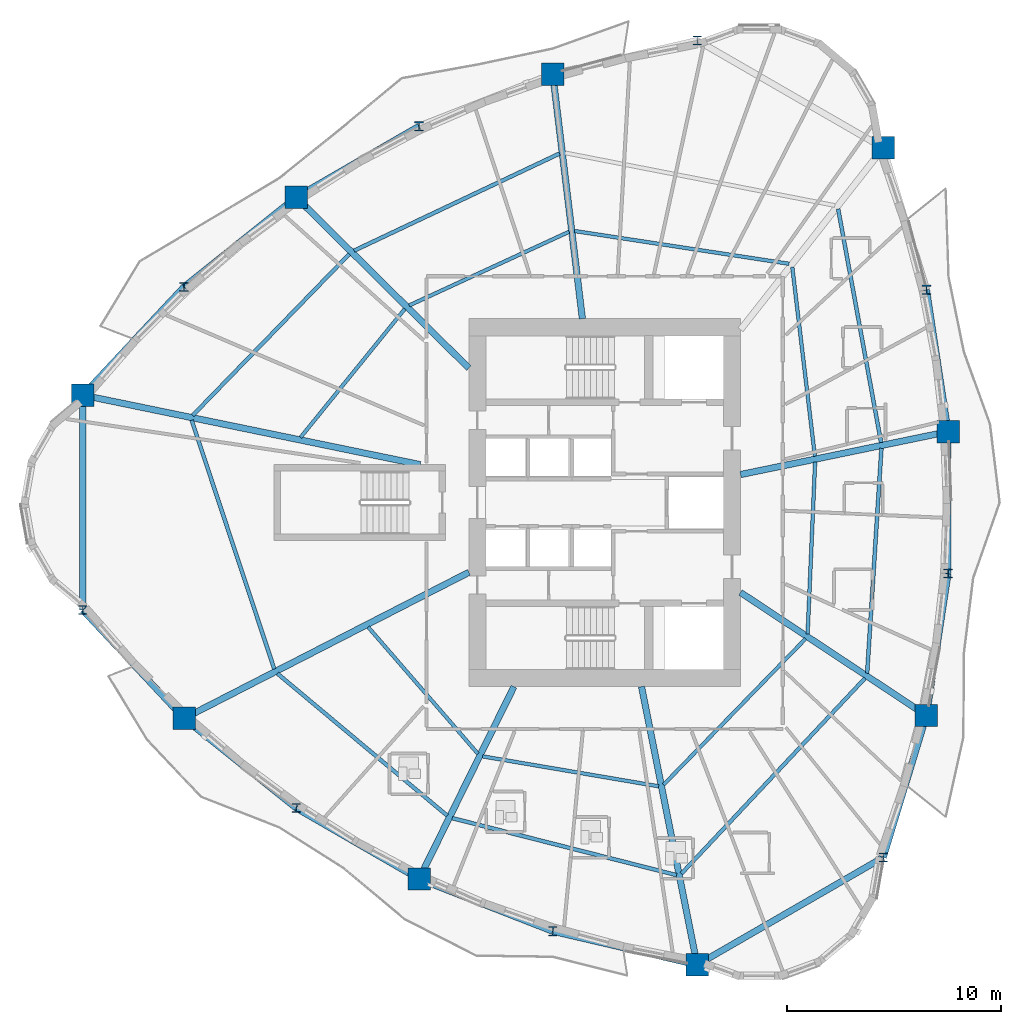
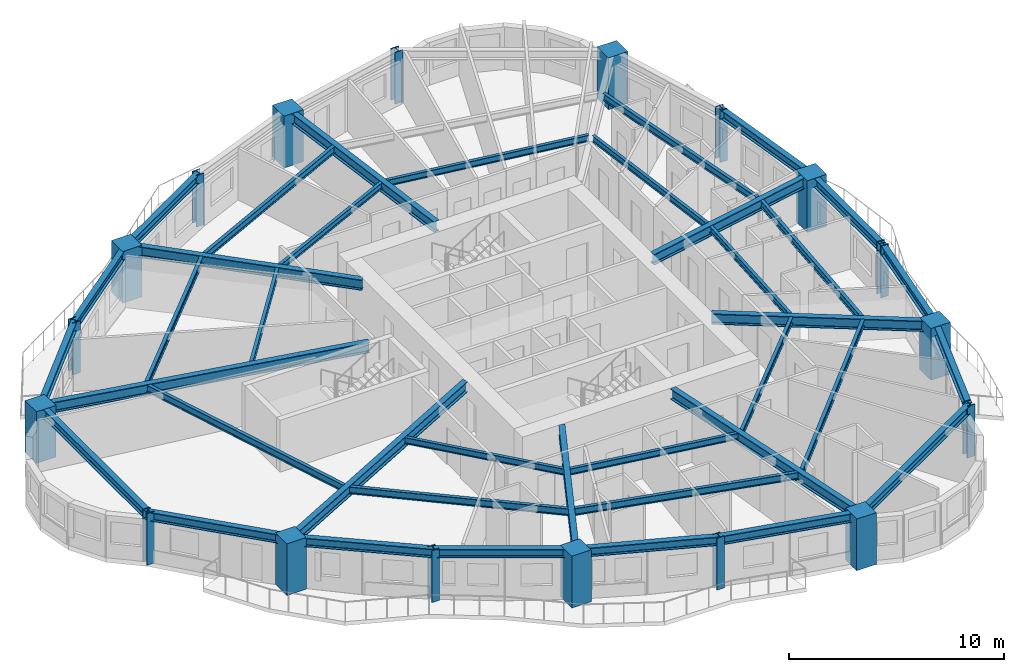
# One storey, part 1 of 14: 38 beams, 18 columns.
"""IFC4 building model written with IfcOpenShell, lengths in metres."""

from ifc_helpers import new_model, si_unit, direction, frame, origin, origin_2d, place, context, subcontext, project, spatial, rectangle, i_section, extrude, source, transform, mapped, material, material_profile, profile_set, type_object, element, save


model = new_model("IFC4")

# Units and contexts
model_context = context("Model", 3, precision=1e-05, world=origin(), true_north=direction((0.0, 1.0)))
body_context = subcontext(model_context, "Body", "Model", "MODEL_VIEW")
ifc_project = project(units=[si_unit("LENGTHUNIT", "METRE"), si_unit("AREAUNIT", "SQUARE_METRE"), si_unit("VOLUMEUNIT", "CUBIC_METRE"), si_unit("PLANEANGLEUNIT", "RADIAN"), si_unit("MASSUNIT", "GRAM", prefix="KILO")], contexts=[model_context])

# Site, building, storey
site_placement = place(None, origin())
site = spatial("IfcSite", under=ifc_project, at=site_placement, CompositionType="ELEMENT")
building_placement = place(site_placement, origin())
building = spatial("IfcBuilding", under=site, at=building_placement, Name="Qafzar Sky-Pleat Residences", CompositionType="ELEMENT")
storey_placement = place(building_placement, frame((0.0, 0.0, 17.39990234375)))
storey = spatial("IfcBuildingStorey", under=building, at=storey_placement, Name="L04", CompositionType="ELEMENT", Elevation=17.39990234375)

# Columns
ifc_material_1 = material(Name="Concrete C60/75", Category="concrete")
ifc_material_profile_1 = material_profile(ifc_material_1, rectangle(XDim=1.050048828125, YDim=1.050048828125, at=origin_2d()), Name="RC 1050x1050")
ifc_profile_set_1 = profile_set([ifc_material_profile_1], Name="Concrete C60/75")
column_type_1 = type_object("IfcColumnType", Name="COL-RC-1050", PredefinedType="COLUMN", material=ifc_profile_set_1)
shared_shape_1 = source(origin(), body_context, "Body", "SweptSolid", [
    extrude(rectangle(XDim=1.050048828125, YDim=1.050048828125, at=origin_2d()), origin(), (0.0, 0.0, 1.0), 2.940185546875),
])
for number, where, z_axis, x_axis, name in (
    (1, (5.955078125, 31.02294921875, 0.0), (0.0, 0.0, 1.0), (1.0, 0.0, 0.0), "L04 Perimeter Mega Column 1"),
    (2, (10.6904296875, 15.9150390625, 0.0), (0.0, 0.0, 1.0), (1.0, 0.0, 0.0), "L04 Perimeter Mega Column 3"),
    (3, (21.67333984375, 8.409912109375, 0.0), (0.0, 0.0, 1.0), (1.0, 0.0, 0.0), "L04 Perimeter Mega Column 5"),
    (4, (34.672607421875, 4.39697265625, 0.0), (0.0, 0.0, 1.0), (1.0, 0.0, 0.0), "L04 Perimeter Mega Column 7"),
    (5, (45.388671875, 16.052001953125, 0.0), (0.0, 0.0, 1.0), (1.0, 0.0, 0.0), "L04 Perimeter Mega Column 9"),
    (6, (46.396728515625, 29.31591796875, 0.0), (0.0, 0.0, 1.0), (1.0, 0.0, 0.0), "L04 Perimeter Mega Column 11"),
    (7, (43.37255859375, 42.580078125, 0.0), (0.0, 0.0, 1.0), (1.0, 0.0, 0.0), "L04 Perimeter Mega Column 13"),
    (8, (27.9208984375, 46.032958984375, 0.0), (0.0, 0.0, 1.0), (1.0, 0.0, 0.0), "L04 Perimeter Mega Column 15"),
    (9, (15.929931640625, 40.27392578125, 0.0), (0.0, 0.0, 1.0), (1.0, 0.0, 0.0), "L04 Perimeter Mega Column 17"),
):
    element("IfcColumn", number, at=place(storey_placement, frame(where, z_axis=z_axis, x_axis=x_axis)), inside=storey, type_object=column_type_1, Name=name, PredefinedType="COLUMN", context=body_context, shape_type="MappedRepresentation", body=[
        mapped(shared_shape_1, transform((0.0, 0.0, 0.0), x_axis=(1.0, 0.0, 0.0), y_axis=(0.0, 1.0, 0.0), z_axis=(0.0, 0.0, 1.0), scale=1.0)),
    ])
ifc_material_2 = material(Name="Steel S460", Category="steel")
ifc_material_profile_2 = material_profile(ifc_material_2, i_section(OverallWidth=0.408935546875, OverallDepth=0.425048828125, WebThickness=0.030029296875, FlangeThickness=0.048095703125, FilletRadius=0.014892578125, at=origin_2d()), Name="HD 400x421")
ifc_profile_set_2 = profile_set([ifc_material_profile_2], Name="Steel S460")
column_type_2 = type_object("IfcColumnType", Name="COL-STL-HD421", PredefinedType="PILASTER", material=ifc_profile_set_2)
shared_shape_2 = source(origin(), body_context, "Body", "SweptSolid", [
    extrude(i_section(OverallWidth=0.408935546875, OverallDepth=0.425048828125, WebThickness=0.030029296875, FlangeThickness=0.048095703125, FilletRadius=0.014892578125, at=origin_2d()), origin(), (0.0, 0.0, 1.0), 2.940185546875),
])
for number, where, z_axis, x_axis, name in (
    (10, (5.955078125, 20.97705078125, 0.0), (0.0, 0.0, 1.0), (1.0, 0.0, 0.0), "L04 Perimeter Mega Column 2"),
    (11, (15.929931640625, 11.72607421875, 0.0), (0.0, 0.0, 1.0), (1.0, 0.0, 0.0), "L04 Perimeter Mega Column 4"),
    (12, (27.9208984375, 5.967041015625, 0.0), (0.0, 0.0, 1.0), (1.0, 0.0, 0.0), "L04 Perimeter Mega Column 6"),
    (13, (43.37255859375, 9.419921875, 0.0), (0.0, 0.0, 1.0), (1.0, 0.0, 0.0), "L04 Perimeter Mega Column 8"),
    (14, (46.396728515625, 22.68408203125, 0.0), (0.0, 0.0, 1.0), (1.0, 0.0, 0.0), "L04 Perimeter Mega Column 10"),
    (15, (45.388671875, 35.947998046875, 0.0), (0.0, 0.0, 1.0), (1.0, 0.0, 0.0), "L04 Perimeter Mega Column 12"),
    (16, (34.672607421875, 47.60302734375, 0.0), (0.0, 0.0, 1.0), (1.0, 0.0, 0.0), "L04 Perimeter Mega Column 14"),
    (17, (21.67333984375, 43.590087890625, 0.0), (0.0, 0.0, 1.0), (1.0, 0.0, 0.0), "L04 Perimeter Mega Column 16"),
    (18, (10.6904296875, 36.0849609375, 0.0), (0.0, 0.0, 1.0), (1.0, 0.0, 0.0), "L04 Perimeter Mega Column 18"),
):
    element("IfcColumn", number, at=place(storey_placement, frame(where, z_axis=z_axis, x_axis=x_axis)), inside=storey, type_object=column_type_2, Name=name, PredefinedType="PILASTER", context=body_context, shape_type="MappedRepresentation", body=[
        mapped(shared_shape_2, transform((0.0, 0.0, 0.0), x_axis=(1.0, 0.0, 0.0), y_axis=(0.0, 1.0, 0.0), z_axis=(0.0, 0.0, 1.0), scale=1.0)),
    ])

# Beams
ifc_material_3 = material(Name="Steel S355", Category="steel")
ifc_material_profile_3 = material_profile(ifc_material_3, i_section(OverallWidth=0.300048828125, OverallDepth=0.5, WebThickness=0.014404296875, FlangeThickness=0.028076171875, FilletRadius=0.027099609375, at=origin_2d()), Name="HEB 500")
ifc_profile_set_3 = profile_set([ifc_material_profile_3], Name="Steel S355")
beam_type_1 = type_object("IfcBeamType", Name="BM-SPAN-HEB500", PredefinedType="SPANDREL", material=ifc_profile_set_3)
shared_shape_3 = source(origin(), body_context, "Body", "SweptSolid", [
    extrude(i_section(OverallWidth=0.300048828125, OverallDepth=0.5, WebThickness=0.014404296875, FlangeThickness=0.028076171875, FilletRadius=0.027099609375, at=origin_2d()), origin(), (0.0, 0.0, 1.0), 10.0458984375),
])
for number, where, z_axis, x_axis, name in (
    (19, (5.955078125, 31.02294921875, 2.68798828125), (0.0, -1.0, 0.0), (1.0, 0.0, 0.0), "L04 Perimeter Spandrel Beam 1"),
    (20, (34.672607421875, 4.39697265625, 2.68798828125), (0.866024107753, 0.500002244785, 0.0), (-0.500002244785, 0.866024107753, 0.0), "L04 Perimeter Spandrel Beam 7"),
):
    element("IfcBeam", number, at=place(storey_placement, frame(where, z_axis=z_axis, x_axis=x_axis)), inside=storey, type_object=beam_type_1, Name=name, PredefinedType="SPANDREL", context=body_context, shape_type="MappedRepresentation", body=[
        mapped(shared_shape_3, transform((0.0, 0.0, 0.0), x_axis=(1.0, 0.0, 0.0), y_axis=(0.0, 1.0, 0.0), z_axis=(0.0, 0.0, 1.0), scale=1.0)),
    ])
shared_shape_4 = source(origin(), body_context, "Body", "SweptSolid", [
    extrude(i_section(OverallWidth=0.300048828125, OverallDepth=0.5, WebThickness=0.014404296875, FlangeThickness=0.028076171875, FilletRadius=0.027099609375, at=origin_2d()), origin(), (0.0, 0.0, 1.0), 6.931640625),
])
for number, where, z_axis, x_axis, name in (
    (21, (5.955078125, 20.97705078125, 2.68798828125), (0.683151069605, -0.730277081728, 0.0), (0.730277081728, 0.683151069605, 0.0), "L04 Perimeter Spandrel Beam 2"),
    (22, (43.37255859375, 9.419921875, 2.68798828125), (0.290851866261, 0.956768097238, 0.0), (-0.956768097238, 0.290851866261, 0.0), "L04 Perimeter Spandrel Beam 8"),
    (23, (10.6904296875, 36.0849609375, 2.68798828125), (-0.683151069605, -0.730277081728, 0.0), (0.730277081728, -0.683151069605, 0.0), "L04 Perimeter Spandrel Beam 18"),
):
    element("IfcBeam", number, at=place(storey_placement, frame(where, z_axis=z_axis, x_axis=x_axis)), inside=storey, type_object=beam_type_1, Name=name, PredefinedType="SPANDREL", context=body_context, shape_type="MappedRepresentation", body=[
        mapped(shared_shape_4, transform((0.0, 0.0, 0.0), x_axis=(1.0, 0.0, 0.0), y_axis=(0.0, 1.0, 0.0), z_axis=(0.0, 0.0, 1.0), scale=1.0)),
    ])
shared_shape_5 = source(origin(), body_context, "Body", "SweptSolid", [
    extrude(i_section(OverallWidth=0.300048828125, OverallDepth=0.5, WebThickness=0.014404296875, FlangeThickness=0.028076171875, FilletRadius=0.027099609375, at=origin_2d()), origin(), (0.0, 0.0, 1.0), 6.708251953125),
])
for number, where, z_axis, x_axis, name in (
    (24, (10.6904296875, 15.9150390625, 2.68798828125), (0.781060509085, -0.624455347602, 0.0), (0.624455347602, 0.781060509085, 0.0), "L04 Perimeter Spandrel Beam 3"),
    (25, (21.67333984375, 8.409912109375, 2.68798828125), (0.931335108282, -0.364163309631, 0.0), (0.364163309631, 0.931335108282, 0.0), "L04 Perimeter Spandrel Beam 5"),
    (26, (45.388671875, 16.052001953125, 2.68798828125), (0.150271102321, 0.988644827937, 0.0), (-0.988644827937, 0.150271102321, 0.0), "L04 Perimeter Spandrel Beam 9"),
    (27, (46.396728515625, 29.31591796875, 2.68798828125), (-0.150271102321, 0.988644827937, 0.0), (-0.988644827937, -0.150271102321, 0.0), "L04 Perimeter Spandrel Beam 11"),
    (28, (15.929931640625, 40.27392578125, 2.68798828125), (-0.781060509085, -0.624455347602, 0.0), (0.624455347602, -0.781060509085, 0.0), "L04 Perimeter Spandrel Beam 17"),
):
    element("IfcBeam", number, at=place(storey_placement, frame(where, z_axis=z_axis, x_axis=x_axis)), inside=storey, type_object=beam_type_1, Name=name, PredefinedType="SPANDREL", context=body_context, shape_type="MappedRepresentation", body=[
        mapped(shared_shape_5, transform((0.0, 0.0, 0.0), x_axis=(1.0, 0.0, 0.0), y_axis=(0.0, 1.0, 0.0), z_axis=(0.0, 0.0, 1.0), scale=1.0)),
    ])
shared_shape_6 = source(origin(), body_context, "Body", "SweptSolid", [
    extrude(i_section(OverallWidth=0.300048828125, OverallDepth=0.5, WebThickness=0.014404296875, FlangeThickness=0.028076171875, FilletRadius=0.027099609375, at=origin_2d()), origin(), (0.0, 0.0, 1.0), 6.632080078125),
])
for number, where, z_axis, x_axis, name in (
    (29, (15.929931640625, 11.72607421875, 2.68798828125), (0.866012094692, -0.500023051316, 0.0), (0.500023051316, 0.866012094692, 0.0), "L04 Perimeter Spandrel Beam 4"),
    (30, (21.67333984375, 43.590087890625, 2.68798828125), (-0.866012094692, -0.500023051316, 0.0), (0.500023051316, -0.866012094692, 0.0), "L04 Perimeter Spandrel Beam 16"),
):
    element("IfcBeam", number, at=place(storey_placement, frame(where, z_axis=z_axis, x_axis=x_axis)), inside=storey, type_object=beam_type_1, Name=name, PredefinedType="SPANDREL", context=body_context, shape_type="MappedRepresentation", body=[
        mapped(shared_shape_6, transform((0.0, 0.0, 0.0), x_axis=(1.0, 0.0, 0.0), y_axis=(0.0, 1.0, 0.0), z_axis=(0.0, 0.0, 1.0), scale=1.0)),
    ])
shared_shape_7 = source(origin(), body_context, "Body", "SweptSolid", [
    extrude(i_section(OverallWidth=0.300048828125, OverallDepth=0.5, WebThickness=0.014404296875, FlangeThickness=0.028076171875, FilletRadius=0.027099609375, at=origin_2d()), origin(), (0.0, 0.0, 1.0), 6.931884765625),
])
beam_1_placement = place(storey_placement, frame((27.9208984375, 5.967041015625, 2.68798828125), z_axis=(0.974011098993, -0.226500284853, 0.0), x_axis=(0.226500284853, 0.974011098993, 0.0)))
element("IfcBeam", 31, at=beam_1_placement, inside=storey, type_object=beam_type_1, Name="L04 Perimeter Spandrel Beam 6", PredefinedType="SPANDREL", context=body_context, shape_type="MappedRepresentation", body=[
    mapped(shared_shape_7, transform((0.0, 0.0, 0.0), x_axis=(1.0, 0.0, 0.0), y_axis=(0.0, 1.0, 0.0), z_axis=(0.0, 0.0, 1.0), scale=1.0)),
])
shared_shape_8 = source(origin(), body_context, "Body", "SweptSolid", [
    extrude(i_section(OverallWidth=0.300048828125, OverallDepth=0.5, WebThickness=0.014404296875, FlangeThickness=0.028076171875, FilletRadius=0.027099609375, at=origin_2d()), origin(), (0.0, 0.0, 1.0), 6.6318359375),
])
beam_2_placement = place(storey_placement, frame((46.396728515625, 22.68408203125, 2.68798828125), z_axis=(0.0, 1.0, 0.0), x_axis=(-1.0, 0.0, 0.0)))
element("IfcBeam", 32, at=beam_2_placement, inside=storey, type_object=beam_type_1, Name="L04 Perimeter Spandrel Beam 10", PredefinedType="SPANDREL", context=body_context, shape_type="MappedRepresentation", body=[
    mapped(shared_shape_8, transform((0.0, 0.0, 0.0), x_axis=(1.0, 0.0, 0.0), y_axis=(0.0, 1.0, 0.0), z_axis=(0.0, 0.0, 1.0), scale=1.0)),
])
ifc_material_profile_4 = material_profile(ifc_material_3, i_section(OverallWidth=0.300048828125, OverallDepth=0.60009765625, WebThickness=0.015380859375, FlangeThickness=0.030029296875, FilletRadius=0.027099609375, at=origin_2d()), Name="HEB 600")
ifc_profile_set_4 = profile_set([ifc_material_profile_4], Name="Steel S355")
beam_type_2 = type_object("IfcBeamType", Name="BM-GIRD-HEB600", PredefinedType="BEAM", material=ifc_profile_set_4)
shared_shape_9 = source(origin(), body_context, "Body", "SweptSolid", [
    extrude(i_section(OverallWidth=0.300048828125, OverallDepth=0.60009765625, WebThickness=0.015380859375, FlangeThickness=0.030029296875, FilletRadius=0.027099609375, at=origin_2d()), origin(), (0.0, 0.0, 1.0), 16.10498046875),
])
beam_3_placement = place(storey_placement, frame((5.955078125, 31.02294921875, 2.63818359375), z_axis=(0.979451847285, -0.201678156603, 0.0), x_axis=(0.201678156603, 0.979451847285, 0.0)))
element("IfcBeam", 33, at=beam_3_placement, inside=storey, type_object=beam_type_2, Name="L04 Radial Floor Girder 1", PredefinedType="BEAM", context=body_context, shape_type="MappedRepresentation", body=[
    mapped(shared_shape_9, transform((0.0, 0.0, 0.0), x_axis=(1.0, 0.0, 0.0), y_axis=(0.0, 1.0, 0.0), z_axis=(0.0, 0.0, 1.0), scale=1.0)),
])
shared_shape_10 = source(origin(), body_context, "Body", "SweptSolid", [
    extrude(i_section(OverallWidth=0.300048828125, OverallDepth=0.60009765625, WebThickness=0.015380859375, FlangeThickness=0.030029296875, FilletRadius=0.027099609375, at=origin_2d()), origin(), (0.0, 0.0, 1.0), 14.958740234375),
])
beam_4_placement = place(storey_placement, frame((10.6904296875, 15.9150390625, 2.63818359375), z_axis=(0.889757302611, 0.45643394095, 0.0), x_axis=(-0.45643394095, 0.889757302611, 0.0)))
element("IfcBeam", 34, at=beam_4_placement, inside=storey, type_object=beam_type_2, Name="L04 Radial Floor Girder 3", PredefinedType="BEAM", context=body_context, shape_type="MappedRepresentation", body=[
    mapped(shared_shape_10, transform((0.0, 0.0, 0.0), x_axis=(1.0, 0.0, 0.0), y_axis=(0.0, 1.0, 0.0), z_axis=(0.0, 0.0, 1.0), scale=1.0)),
])
shared_shape_11 = source(origin(), body_context, "Body", "SweptSolid", [
    extrude(i_section(OverallWidth=0.300048828125, OverallDepth=0.60009765625, WebThickness=0.015380859375, FlangeThickness=0.030029296875, FilletRadius=0.027099609375, at=origin_2d()), origin(), (0.0, 0.0, 1.0), 10.024169921875),
])
beam_5_placement = place(storey_placement, frame((21.67333984375, 8.409912109375, 2.63818359375), z_axis=(0.442384799296, 0.896825339379, 0.0), x_axis=(-0.896825339379, 0.442384799296, 0.0)))
element("IfcBeam", 35, at=beam_5_placement, inside=storey, type_object=beam_type_2, Name="L04 Radial Floor Girder 5", PredefinedType="BEAM", context=body_context, shape_type="MappedRepresentation", body=[
    mapped(shared_shape_11, transform((0.0, 0.0, 0.0), x_axis=(1.0, 0.0, 0.0), y_axis=(0.0, 1.0, 0.0), z_axis=(0.0, 0.0, 1.0), scale=1.0)),
])
shared_shape_12 = source(origin(), body_context, "Body", "SweptSolid", [
    extrude(i_section(OverallWidth=0.300048828125, OverallDepth=0.60009765625, WebThickness=0.015380859375, FlangeThickness=0.030029296875, FilletRadius=0.027099609375, at=origin_2d()), origin(), (0.0, 0.0, 1.0), 13.2607421875),
])
beam_6_placement = place(storey_placement, frame((34.672607421875, 4.39697265625, 2.63818359375), z_axis=(-0.19620464814, 0.980562968936, 0.0), x_axis=(-0.980562968936, -0.19620464814, 0.0)))
element("IfcBeam", 36, at=beam_6_placement, inside=storey, type_object=beam_type_2, Name="L04 Radial Floor Girder 7", PredefinedType="BEAM", context=body_context, shape_type="MappedRepresentation", body=[
    mapped(shared_shape_12, transform((0.0, 0.0, 0.0), x_axis=(1.0, 0.0, 0.0), y_axis=(0.0, 1.0, 0.0), z_axis=(0.0, 0.0, 1.0), scale=1.0)),
])
shared_shape_13 = source(origin(), body_context, "Body", "SweptSolid", [
    extrude(i_section(OverallWidth=0.300048828125, OverallDepth=0.60009765625, WebThickness=0.015380859375, FlangeThickness=0.030029296875, FilletRadius=0.027099609375, at=origin_2d()), origin(), (0.0, 0.0, 1.0), 10.417724609375),
])
beam_7_placement = place(storey_placement, frame((45.388671875, 16.052001953125, 2.63818359375), z_axis=(-0.834035127729, 0.551711342746, 0.0), x_axis=(-0.551711342746, -0.834035127729, 0.0)))
element("IfcBeam", 37, at=beam_7_placement, inside=storey, type_object=beam_type_2, Name="L04 Radial Floor Girder 9", PredefinedType="BEAM", context=body_context, shape_type="MappedRepresentation", body=[
    mapped(shared_shape_13, transform((0.0, 0.0, 0.0), x_axis=(1.0, 0.0, 0.0), y_axis=(0.0, 1.0, 0.0), z_axis=(0.0, 0.0, 1.0), scale=1.0)),
])
shared_shape_14 = source(origin(), body_context, "Body", "SweptSolid", [
    extrude(i_section(OverallWidth=0.300048828125, OverallDepth=0.60009765625, WebThickness=0.015380859375, FlangeThickness=0.030029296875, FilletRadius=0.027099609375, at=origin_2d()), origin(), (0.0, 0.0, 1.0), 9.901611328125),
])
beam_8_placement = place(storey_placement, frame((46.396728515625, 29.31591796875, 2.63818359375), z_axis=(-0.979311837903, -0.202356922646, 0.0), x_axis=(0.202356922646, -0.979311837903, 0.0)))
element("IfcBeam", 38, at=beam_8_placement, inside=storey, type_object=beam_type_2, Name="L04 Radial Floor Girder 11", PredefinedType="BEAM", context=body_context, shape_type="MappedRepresentation", body=[
    mapped(shared_shape_14, transform((0.0, 0.0, 0.0), x_axis=(1.0, 0.0, 0.0), y_axis=(0.0, 1.0, 0.0), z_axis=(0.0, 0.0, 1.0), scale=1.0)),
])
shared_shape_15 = source(origin(), body_context, "Body", "SweptSolid", [
    extrude(i_section(OverallWidth=0.300048828125, OverallDepth=0.60009765625, WebThickness=0.015380859375, FlangeThickness=0.030029296875, FilletRadius=0.027099609375, at=origin_2d()), origin(), (0.0, 0.0, 1.0), 11.5166015625),
])
beam_9_placement = place(storey_placement, frame((27.9208984375, 46.032958984375, 2.63818359375), z_axis=(0.120368086841, -0.992729330518, 0.0), x_axis=(0.992729330518, 0.120368086841, 0.0)))
element("IfcBeam", 39, at=beam_9_placement, inside=storey, type_object=beam_type_2, Name="L04 Radial Floor Girder 15", PredefinedType="BEAM", context=body_context, shape_type="MappedRepresentation", body=[
    mapped(shared_shape_15, transform((0.0, 0.0, 0.0), x_axis=(1.0, 0.0, 0.0), y_axis=(0.0, 1.0, 0.0), z_axis=(0.0, 0.0, 1.0), scale=1.0)),
])
shared_shape_16 = source(origin(), body_context, "Body", "SweptSolid", [
    extrude(i_section(OverallWidth=0.300048828125, OverallDepth=0.60009765625, WebThickness=0.015380859375, FlangeThickness=0.030029296875, FilletRadius=0.027099609375, at=origin_2d()), origin(), (0.0, 0.0, 1.0), 11.355224609375),
])
beam_10_placement = place(storey_placement, frame((15.929931640625, 40.27392578125, 2.63818359375), z_axis=(0.710698943558, -0.703496276909, 0.0), x_axis=(0.703496276909, 0.710698943558, 0.0)))
element("IfcBeam", 40, at=beam_10_placement, inside=storey, type_object=beam_type_2, Name="L04 Radial Floor Girder 17", PredefinedType="BEAM", context=body_context, shape_type="MappedRepresentation", body=[
    mapped(shared_shape_16, transform((0.0, 0.0, 0.0), x_axis=(1.0, 0.0, 0.0), y_axis=(0.0, 1.0, 0.0), z_axis=(0.0, 0.0, 1.0), scale=1.0)),
])
ifc_material_profile_5 = material_profile(ifc_material_3, i_section(OverallWidth=0.179931640625, OverallDepth=0.39990234375, WebThickness=0.008544921875, FlangeThickness=0.013427734375, FilletRadius=0.02099609375, at=origin_2d()), Name="IPE 400")
ifc_profile_set_5 = profile_set([ifc_material_profile_5], Name="Steel S355")
beam_type_3 = type_object("IfcBeamType", Name="BM-JST-IPE400", PredefinedType="JOIST", material=ifc_profile_set_5)
shared_shape_17 = source(origin(), body_context, "Body", "SweptSolid", [
    extrude(i_section(OverallWidth=0.179931640625, OverallDepth=0.39990234375, WebThickness=0.008544921875, FlangeThickness=0.013427734375, FilletRadius=0.02099609375, at=origin_2d()), origin(), (0.0, 0.0, 1.0), 12.251953125),
])
beam_11_placement = place(storey_placement, frame((11.04541015625, 29.85546875, 2.738037109375), z_axis=(0.31518141932, -0.949031439371, 0.0), x_axis=(0.949031439371, 0.31518141932, 0.0)))
element("IfcBeam", 41, at=beam_11_placement, inside=storey, type_object=beam_type_3, Name="L04 Outer Secondary Floor Joist 1", PredefinedType="JOIST", context=body_context, shape_type="MappedRepresentation", body=[
    mapped(shared_shape_17, transform((0.0, 0.0, 0.0), x_axis=(1.0, 0.0, 0.0), y_axis=(0.0, 1.0, 0.0), z_axis=(0.0, 0.0, 1.0), scale=1.0)),
])
shared_shape_18 = source(origin(), body_context, "Body", "SweptSolid", [
    extrude(i_section(OverallWidth=0.179931640625, OverallDepth=0.39990234375, WebThickness=0.008544921875, FlangeThickness=0.013427734375, FilletRadius=0.02099609375, at=origin_2d()), origin(), (0.0, 0.0, 1.0), 10.347412109375),
])
beam_12_placement = place(storey_placement, frame((15.052978515625, 18.01318359375, 2.738037109375), z_axis=(0.766958843981, -0.641696292369, 0.0), x_axis=(0.641696292369, 0.766958843981, 0.0)))
element("IfcBeam", 42, at=beam_12_placement, inside=storey, type_object=beam_type_3, Name="L04 Outer Secondary Floor Joist 2", PredefinedType="JOIST", context=body_context, shape_type="MappedRepresentation", body=[
    mapped(shared_shape_18, transform((0.0, 0.0, 0.0), x_axis=(1.0, 0.0, 0.0), y_axis=(0.0, 1.0, 0.0), z_axis=(0.0, 0.0, 1.0), scale=1.0)),
])
shared_shape_19 = source(origin(), body_context, "Body", "SweptSolid", [
    extrude(i_section(OverallWidth=0.179931640625, OverallDepth=0.39990234375, WebThickness=0.008544921875, FlangeThickness=0.013427734375, FilletRadius=0.02099609375, at=origin_2d()), origin(), (0.0, 0.0, 1.0), 10.818359375),
])
beam_13_placement = place(storey_placement, frame((23.223388671875, 11.253662109375, 2.738037109375), z_axis=(0.969245210668, -0.246096976003, 0.0), x_axis=(0.246096976003, 0.969245210668, 0.0)))
element("IfcBeam", 43, at=beam_13_placement, inside=storey, type_object=beam_type_3, Name="L04 Outer Secondary Floor Joist 3", PredefinedType="JOIST", context=body_context, shape_type="MappedRepresentation", body=[
    mapped(shared_shape_19, transform((0.0, 0.0, 0.0), x_axis=(1.0, 0.0, 0.0), y_axis=(0.0, 1.0, 0.0), z_axis=(0.0, 0.0, 1.0), scale=1.0)),
])
shared_shape_20 = source(origin(), body_context, "Body", "SweptSolid", [
    extrude(i_section(OverallWidth=0.179931640625, OverallDepth=0.39990234375, WebThickness=0.008544921875, FlangeThickness=0.013427734375, FilletRadius=0.02099609375, at=origin_2d()), origin(), (0.0, 0.0, 1.0), 12.535888671875),
])
beam_14_placement = place(storey_placement, frame((33.932373046875, 8.656494140625, 2.738037109375), z_axis=(0.684716843455, 0.728809196079, 0.0), x_axis=(-0.728809196079, 0.684716843455, 0.0)))
element("IfcBeam", 44, at=beam_14_placement, inside=storey, type_object=beam_type_3, Name="L04 Outer Secondary Floor Joist 4", PredefinedType="JOIST", context=body_context, shape_type="MappedRepresentation", body=[
    mapped(shared_shape_20, transform((0.0, 0.0, 0.0), x_axis=(1.0, 0.0, 0.0), y_axis=(0.0, 1.0, 0.0), z_axis=(0.0, 0.0, 1.0), scale=1.0)),
])
shared_shape_21 = source(origin(), body_context, "Body", "SweptSolid", [
    extrude(i_section(OverallWidth=0.179931640625, OverallDepth=0.39990234375, WebThickness=0.008544921875, FlangeThickness=0.013427734375, FilletRadius=0.02099609375, at=origin_2d()), origin(), (0.0, 0.0, 1.0), 10.535400390625),
])
beam_15_placement = place(storey_placement, frame((42.61669921875, 18.02587890625, 2.738037109375), z_axis=(0.063448734533, 0.99798509913, 0.0), x_axis=(-0.99798509913, 0.063448734533, 0.0)))
element("IfcBeam", 45, at=beam_15_placement, inside=storey, type_object=beam_type_3, Name="L04 Outer Secondary Floor Joist 5", PredefinedType="JOIST", context=body_context, shape_type="MappedRepresentation", body=[
    mapped(shared_shape_21, transform((0.0, 0.0, 0.0), x_axis=(1.0, 0.0, 0.0), y_axis=(0.0, 1.0, 0.0), z_axis=(0.0, 0.0, 1.0), scale=1.0)),
])
shared_shape_22 = source(origin(), body_context, "Body", "SweptSolid", [
    extrude(i_section(OverallWidth=0.179931640625, OverallDepth=0.39990234375, WebThickness=0.008544921875, FlangeThickness=0.013427734375, FilletRadius=0.02099609375, at=origin_2d()), origin(), (0.0, 0.0, 1.0), 11.104248046875),
])
beam_16_placement = place(storey_placement, frame((43.269287109375, 28.8076171875, 2.738037109375), z_axis=(-0.180794758239, 0.983520846446, 0.0), x_axis=(-0.983520846446, -0.180794758239, 0.0)))
element("IfcBeam", 46, at=beam_16_placement, inside=storey, type_object=beam_type_3, Name="L04 Outer Secondary Floor Joist 6", PredefinedType="JOIST", context=body_context, shape_type="MappedRepresentation", body=[
    mapped(shared_shape_22, transform((0.0, 0.0, 0.0), x_axis=(1.0, 0.0, 0.0), y_axis=(0.0, 1.0, 0.0), z_axis=(0.0, 0.0, 1.0), scale=1.0)),
])
shared_shape_23 = source(origin(), body_context, "Body", "SweptSolid", [
    extrude(i_section(OverallWidth=0.179931640625, OverallDepth=0.39990234375, WebThickness=0.008544921875, FlangeThickness=0.013427734375, FilletRadius=0.02099609375, at=origin_2d()), origin(), (0.0, 0.0, 1.0), 10.627197265625),
])
beam_17_placement = place(storey_placement, frame((28.242431640625, 42.31689453125, 2.738037109375), z_axis=(-0.904087436568, -0.427347524903, 0.0), x_axis=(0.427347524903, -0.904087436568, 0.0)))
element("IfcBeam", 47, at=beam_17_placement, inside=storey, type_object=beam_type_3, Name="L04 Outer Secondary Floor Joist 8", PredefinedType="JOIST", context=body_context, shape_type="MappedRepresentation", body=[
    mapped(shared_shape_23, transform((0.0, 0.0, 0.0), x_axis=(1.0, 0.0, 0.0), y_axis=(0.0, 1.0, 0.0), z_axis=(0.0, 0.0, 1.0), scale=1.0)),
])
shared_shape_24 = source(origin(), body_context, "Body", "SweptSolid", [
    extrude(i_section(OverallWidth=0.179931640625, OverallDepth=0.39990234375, WebThickness=0.008544921875, FlangeThickness=0.013427734375, FilletRadius=0.02099609375, at=origin_2d()), origin(), (0.0, 0.0, 1.0), 10.51025390625),
])
beam_18_placement = place(storey_placement, frame((18.418212890625, 37.620849609375, 2.738037109375), z_axis=(-0.696611861591, -0.717448196242, 0.0), x_axis=(0.717448196242, -0.696611861591, 0.0)))
element("IfcBeam", 48, at=beam_18_placement, inside=storey, type_object=beam_type_3, Name="L04 Outer Secondary Floor Joist 9", PredefinedType="JOIST", context=body_context, shape_type="MappedRepresentation", body=[
    mapped(shared_shape_24, transform((0.0, 0.0, 0.0), x_axis=(1.0, 0.0, 0.0), y_axis=(0.0, 1.0, 0.0), z_axis=(0.0, 0.0, 1.0), scale=1.0)),
])
ifc_material_profile_6 = material_profile(ifc_material_3, i_section(OverallWidth=0.169921875, OverallDepth=0.360107421875, WebThickness=0.008056640625, FlangeThickness=0.0126953125, FilletRadius=0.01806640625, at=origin_2d()), Name="IPE 360")
ifc_profile_set_6 = profile_set([ifc_material_profile_6], Name="Steel S355")
beam_type_4 = type_object("IfcBeamType", Name="BM-JST-IPE360", PredefinedType="JOIST", material=ifc_profile_set_6)
shared_shape_25 = source(origin(), body_context, "Body", "SweptSolid", [
    extrude(i_section(OverallWidth=0.169921875, OverallDepth=0.360107421875, WebThickness=0.008056640625, FlangeThickness=0.0126953125, FilletRadius=0.01806640625, at=origin_2d()), origin(), (0.0, 0.0, 1.0), 7.82861328125),
])
beam_19_placement = place(storey_placement, frame((19.296875, 20.1826171875, 2.758056640625), z_axis=(0.654796368268, -0.755805342732, 0.0), x_axis=(0.755805342732, 0.654796368268, 0.0)))
element("IfcBeam", 49, at=beam_19_placement, inside=storey, type_object=beam_type_4, Name="L04 Inner Secondary Floor Joist 2", PredefinedType="JOIST", context=body_context, shape_type="MappedRepresentation", body=[
    mapped(shared_shape_25, transform((0.0, 0.0, 0.0), x_axis=(1.0, 0.0, 0.0), y_axis=(0.0, 1.0, 0.0), z_axis=(0.0, 0.0, 1.0), scale=1.0)),
])
shared_shape_26 = source(origin(), body_context, "Body", "SweptSolid", [
    extrude(i_section(OverallWidth=0.169921875, OverallDepth=0.360107421875, WebThickness=0.008056640625, FlangeThickness=0.0126953125, FilletRadius=0.01806640625, at=origin_2d()), origin(), (0.0, 0.0, 1.0), 8.347900390625),
])
beam_20_placement = place(storey_placement, frame((24.64453125, 14.14111328125, 2.758056640625), z_axis=(0.985848742528, -0.167637277646, 0.0), x_axis=(0.167637277646, 0.985848742528, 0.0)))
element("IfcBeam", 50, at=beam_20_placement, inside=storey, type_object=beam_type_4, Name="L04 Inner Secondary Floor Joist 3", PredefinedType="JOIST", context=body_context, shape_type="MappedRepresentation", body=[
    mapped(shared_shape_26, transform((0.0, 0.0, 0.0), x_axis=(1.0, 0.0, 0.0), y_axis=(0.0, 1.0, 0.0), z_axis=(0.0, 0.0, 1.0), scale=1.0)),
])
shared_shape_27 = source(origin(), body_context, "Body", "SweptSolid", [
    extrude(i_section(OverallWidth=0.169921875, OverallDepth=0.360107421875, WebThickness=0.008056640625, FlangeThickness=0.0126953125, FilletRadius=0.01806640625, at=origin_2d()), origin(), (0.0, 0.0, 1.0), 9.51171875),
])
beam_21_placement = place(storey_placement, frame((33.1015625, 12.815673828125, 2.758056640625), z_axis=(0.697285822608, 0.716793193041, 0.0), x_axis=(-0.716793193041, 0.697285822608, 0.0)))
element("IfcBeam", 51, at=beam_21_placement, inside=storey, type_object=beam_type_4, Name="L04 Inner Secondary Floor Joist 4", PredefinedType="JOIST", context=body_context, shape_type="MappedRepresentation", body=[
    mapped(shared_shape_27, transform((0.0, 0.0, 0.0), x_axis=(1.0, 0.0, 0.0), y_axis=(0.0, 1.0, 0.0), z_axis=(0.0, 0.0, 1.0), scale=1.0)),
])
shared_shape_28 = source(origin(), body_context, "Body", "SweptSolid", [
    extrude(i_section(OverallWidth=0.169921875, OverallDepth=0.360107421875, WebThickness=0.008056640625, FlangeThickness=0.0126953125, FilletRadius=0.01806640625, at=origin_2d()), origin(), (0.0, 0.0, 1.0), 8.041015625),
])
beam_22_placement = place(storey_placement, frame((39.833740234375, 19.865234375, 2.758056640625), z_axis=(0.043659893581, 0.99904645222, 0.0), x_axis=(-0.99904645222, 0.043659893581, 0.0)))
element("IfcBeam", 52, at=beam_22_placement, inside=storey, type_object=beam_type_4, Name="L04 Inner Secondary Floor Joist 5", PredefinedType="JOIST", context=body_context, shape_type="MappedRepresentation", body=[
    mapped(shared_shape_28, transform((0.0, 0.0, 0.0), x_axis=(1.0, 0.0, 0.0), y_axis=(0.0, 1.0, 0.0), z_axis=(0.0, 0.0, 1.0), scale=1.0)),
])
shared_shape_29 = source(origin(), body_context, "Body", "SweptSolid", [
    extrude(i_section(OverallWidth=0.169921875, OverallDepth=0.360107421875, WebThickness=0.008056640625, FlangeThickness=0.0126953125, FilletRadius=0.01806640625, at=origin_2d()), origin(), (0.0, 0.0, 1.0), 8.904541015625),
])
beam_23_placement = place(storey_placement, frame((40.1748046875, 28.16748046875, 2.758056640625), z_axis=(-0.118664098327, 0.992934454921, 0.0), x_axis=(-0.992934454921, -0.118664098327, 0.0)))
element("IfcBeam", 53, at=beam_23_placement, inside=storey, type_object=beam_type_4, Name="L04 Inner Secondary Floor Joist 6", PredefinedType="JOIST", context=body_context, shape_type="MappedRepresentation", body=[
    mapped(shared_shape_29, transform((0.0, 0.0, 0.0), x_axis=(1.0, 0.0, 0.0), y_axis=(0.0, 1.0, 0.0), z_axis=(0.0, 0.0, 1.0), scale=1.0)),
])
shared_shape_30 = source(origin(), body_context, "Body", "SweptSolid", [
    extrude(i_section(OverallWidth=0.169921875, OverallDepth=0.360107421875, WebThickness=0.008056640625, FlangeThickness=0.0126953125, FilletRadius=0.01806640625, at=origin_2d()), origin(), (0.0, 0.0, 1.0), 10.143310546875),
])
beam_24_placement = place(storey_placement, frame((38.968505859375, 37.163330078125, 2.758056640625), z_axis=(-0.988524791494, 0.151058719051, 0.0), x_axis=(-0.151058719051, -0.988524791494, 0.0)))
element("IfcBeam", 54, at=beam_24_placement, inside=storey, type_object=beam_type_4, Name="L04 Inner Secondary Floor Joist 7", PredefinedType="JOIST", context=body_context, shape_type="MappedRepresentation", body=[
    mapped(shared_shape_30, transform((0.0, 0.0, 0.0), x_axis=(1.0, 0.0, 0.0), y_axis=(0.0, 1.0, 0.0), z_axis=(0.0, 0.0, 1.0), scale=1.0)),
])
shared_shape_31 = source(origin(), body_context, "Body", "SweptSolid", [
    extrude(i_section(OverallWidth=0.169921875, OverallDepth=0.360107421875, WebThickness=0.008056640625, FlangeThickness=0.0126953125, FilletRadius=0.01806640625, at=origin_2d()), origin(), (0.0, 0.0, 1.0), 8.22314453125),
])
beam_25_placement = place(storey_placement, frame((28.685546875, 38.659423828125, 2.758056640625), z_axis=(-0.908212957779, -0.418508331247, 0.0), x_axis=(0.418508331247, -0.908212957779, 0.0)))
element("IfcBeam", 55, at=beam_25_placement, inside=storey, type_object=beam_type_4, Name="L04 Inner Secondary Floor Joist 8", PredefinedType="JOIST", context=body_context, shape_type="MappedRepresentation", body=[
    mapped(shared_shape_31, transform((0.0, 0.0, 0.0), x_axis=(1.0, 0.0, 0.0), y_axis=(0.0, 1.0, 0.0), z_axis=(0.0, 0.0, 1.0), scale=1.0)),
])
shared_shape_32 = source(origin(), body_context, "Body", "SweptSolid", [
    extrude(i_section(OverallWidth=0.169921875, OverallDepth=0.360107421875, WebThickness=0.008056640625, FlangeThickness=0.0126953125, FilletRadius=0.01806640625, at=origin_2d()), origin(), (0.0, 0.0, 1.0), 7.736328125),
])
beam_26_placement = place(storey_placement, frame((21.009765625, 35.056640625, 2.758056640625), z_axis=(-0.630056656092, -0.776549167867, 0.0), x_axis=(0.776549167867, -0.630056656092, 0.0)))
element("IfcBeam", 56, at=beam_26_placement, inside=storey, type_object=beam_type_4, Name="L04 Inner Secondary Floor Joist 9", PredefinedType="JOIST", context=body_context, shape_type="MappedRepresentation", body=[
    mapped(shared_shape_32, transform((0.0, 0.0, 0.0), x_axis=(1.0, 0.0, 0.0), y_axis=(0.0, 1.0, 0.0), z_axis=(0.0, 0.0, 1.0), scale=1.0)),
])

save(model, "model.ifc")
